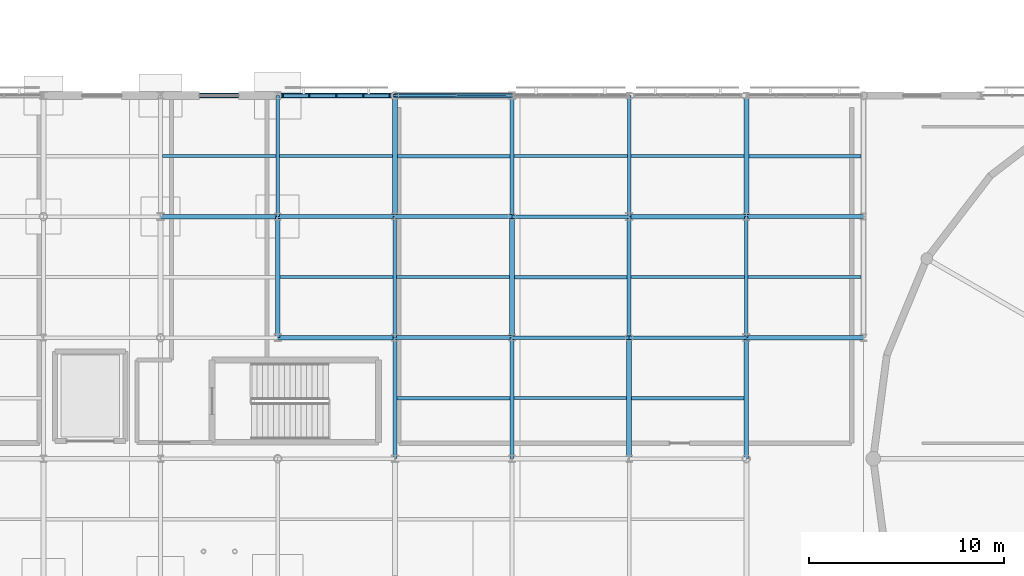
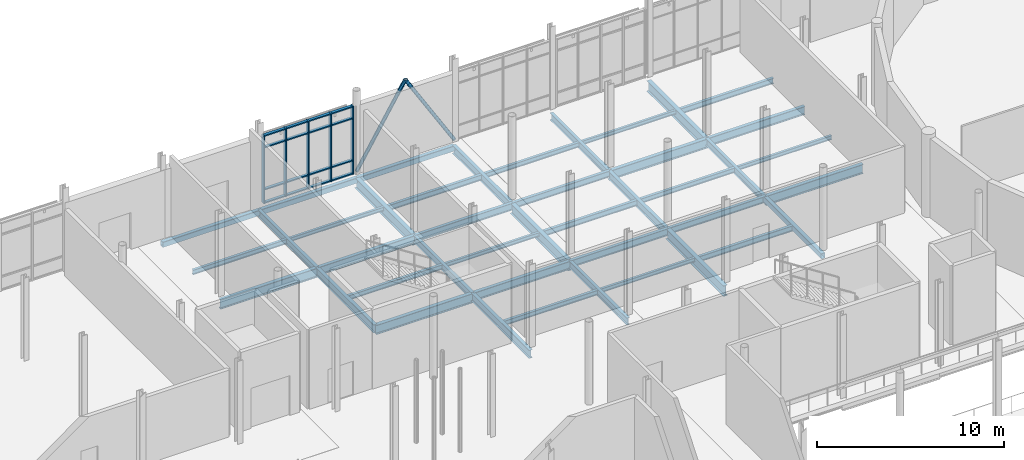
# One storey, part 41 of 98: 42 beams, 23 members, 1 element without a shape of its own.
"""IFC4 building model written with IfcOpenShell, lengths in metres."""

from ifc_helpers import new_model, si_unit, direction, frame, origin, origin_2d, place, context, subcontext, project, spatial, rectangle, hollow_rectangle, hollow_circle, i_section, extrude, material, layer, layer_set, material_profile, profile_set, type_object, element, aggregate, save


model = new_model("IFC4")

# Units and contexts
model_context = context("Model", 3, precision=1e-05, world=origin(), true_north=direction((0.0, 1.0)))
body_context = subcontext(model_context, "Body", "Model", "MODEL_VIEW")
ifc_project = project(units=[si_unit("LENGTHUNIT", "METRE"), si_unit("AREAUNIT", "SQUARE_METRE"), si_unit("VOLUMEUNIT", "CUBIC_METRE"), si_unit("PLANEANGLEUNIT", "RADIAN"), si_unit("MASSUNIT", "GRAM", prefix="KILO")], contexts=[model_context])

# Site, building, storey
site_placement = place(None, origin())
site = spatial("IfcSite", under=ifc_project, at=site_placement, CompositionType="ELEMENT")
building_placement = place(site_placement, origin())
building = spatial("IfcBuilding", under=site, at=building_placement, Name="Mirzam Square Science Centre", CompositionType="ELEMENT")
storey_placement = place(building_placement, origin())
storey = spatial("IfcBuildingStorey", under=building, at=storey_placement, Name="L00", CompositionType="ELEMENT", Elevation=0.0)

# Beams
ifc_material_1 = material(Name="Steel S355", Category="steel")
ifc_material_profile_1 = material_profile(ifc_material_1, i_section(OverallWidth=0.1787109375, OverallDepth=0.409423828125, WebThickness=0.0087890625, FlangeThickness=0.014404296875, FilletRadius=0.01025390625, at=origin_2d()), Name="406x178x67UB")
ifc_profile_set_1 = profile_set([ifc_material_profile_1], Name="Steel S355")
beam_type_1 = type_object("IfcBeamType", Name="BM-UB406", PredefinedType="BEAM", material=ifc_profile_set_1)
for number, where, z_axis, x_axis, name in (
    (1, (48.0, 68.199951171875, -0.504638671875), (1.0, 0.0, 0.0), (0.0, 1.0, 0.0), "L00 girder X9-12"),
    (2, (42.0, 74.39990234375, -0.504638671875), (1.0, 0.0, 0.0), (0.0, 1.0, 0.0), "L00 girder X8-13"),
):
    element("IfcBeam", number, at=place(storey_placement, frame(where, z_axis=z_axis, x_axis=x_axis)), inside=storey, type_object=beam_type_1, Name=name, PredefinedType="BEAM", context=body_context, shape_type="SweptSolid", body=[
        extrude(i_section(OverallWidth=0.1787109375, OverallDepth=0.409423828125, WebThickness=0.0087890625, FlangeThickness=0.014404296875, FilletRadius=0.01025390625, at=origin_2d()), origin(), (0.0, 0.0, 1.0), 6.0),
    ])
ifc_material_profile_2 = material_profile(ifc_material_1, i_section(OverallWidth=0.19140625, OverallDepth=0.4599609375, WebThickness=0.010009765625, FlangeThickness=0.01611328125, FilletRadius=0.01025390625, at=origin_2d()), Name="457x191x82UB")
ifc_profile_set_2 = profile_set([ifc_material_profile_2], Name="Steel S355")
beam_type_2 = type_object("IfcBeamType", Name="BM-UB457", PredefinedType="BEAM", material=ifc_profile_set_2)
for number, where, z_axis, x_axis, name in (
    (3, (42.0, 68.199951171875, -0.530029296875), (1.0, 0.0, 0.0), (0.0, 1.0, 0.0), "L00 girder X8-12"),
    (4, (36.0, 74.39990234375, -0.530029296875), (1.0, 0.0, 0.0), (0.0, 1.0, 0.0), "L00 girder X7-13"),
):
    element("IfcBeam", number, at=place(storey_placement, frame(where, z_axis=z_axis, x_axis=x_axis)), inside=storey, type_object=beam_type_2, Name=name, PredefinedType="BEAM", context=body_context, shape_type="SweptSolid", body=[
        extrude(i_section(OverallWidth=0.19140625, OverallDepth=0.4599609375, WebThickness=0.010009765625, FlangeThickness=0.01611328125, FilletRadius=0.01025390625, at=origin_2d()), origin(), (0.0, 0.0, 1.0), 6.0),
    ])
beam_1_placement = place(storey_placement, frame((30.0, 74.39990234375, -0.530029296875), z_axis=(0.0, 1.0, 0.0), x_axis=(-1.0, 0.0, 0.0)))
element("IfcBeam", 5, at=beam_1_placement, inside=storey, type_object=beam_type_2, Name="L00 girder Y6-13", PredefinedType="BEAM", context=body_context, shape_type="SweptSolid", body=[
    extrude(i_section(OverallWidth=0.19140625, OverallDepth=0.4599609375, WebThickness=0.010009765625, FlangeThickness=0.01611328125, FilletRadius=0.01025390625, at=origin_2d()), origin(), (0.0, 0.0, 1.0), 6.2001953125),
])
for number, where, z_axis, x_axis, name in (
    (6, (36.0, 68.199951171875, -0.530029296875), (0.0, 1.0, 0.0), (-1.0, 0.0, 0.0), "L00 girder Y7-12"),
    (7, (42.0, 62.0, -0.530029296875), (0.0, 1.0, 0.0), (-1.0, 0.0, 0.0), "L00 girder Y8-11"),
):
    element("IfcBeam", number, at=place(storey_placement, frame(where, z_axis=z_axis, x_axis=x_axis)), inside=storey, type_object=beam_type_2, Name=name, PredefinedType="BEAM", context=body_context, shape_type="SweptSolid", body=[
        extrude(i_section(OverallWidth=0.19140625, OverallDepth=0.4599609375, WebThickness=0.010009765625, FlangeThickness=0.01611328125, FilletRadius=0.01025390625, at=origin_2d()), origin(), (0.0, 0.0, 1.0), 6.199951171875),
    ])
beam_2_placement = place(storey_placement, frame((48.0, 74.39990234375, -0.530029296875), z_axis=(0.0, 1.0, 0.0), x_axis=(-1.0, 0.0, 0.0)))
element("IfcBeam", 8, at=beam_2_placement, inside=storey, type_object=beam_type_2, Name="L00 girder Y9-13", PredefinedType="BEAM", context=body_context, shape_type="SweptSolid", body=[
    extrude(i_section(OverallWidth=0.19140625, OverallDepth=0.4599609375, WebThickness=0.010009765625, FlangeThickness=0.01611328125, FilletRadius=0.01025390625, at=origin_2d()), origin(), (0.0, 0.0, 1.0), 6.2001953125),
])
beam_3_placement = place(storey_placement, frame((54.0, 68.199951171875, -0.530029296875), z_axis=(0.0, 1.0, 0.0), x_axis=(-1.0, 0.0, 0.0)))
element("IfcBeam", 9, at=beam_3_placement, inside=storey, type_object=beam_type_2, Name="L00 girder Y10-12", PredefinedType="BEAM", context=body_context, shape_type="SweptSolid", body=[
    extrude(i_section(OverallWidth=0.19140625, OverallDepth=0.4599609375, WebThickness=0.010009765625, FlangeThickness=0.01611328125, FilletRadius=0.01025390625, at=origin_2d()), origin(), (0.0, 0.0, 1.0), 6.199951171875),
])
ifc_material_profile_3 = material_profile(ifc_material_1, i_section(OverallWidth=0.2099609375, OverallDepth=0.53662109375, WebThickness=0.0107421875, FlangeThickness=0.017333984375, FilletRadius=0.0126953125, at=origin_2d()), Name="533x210x101UB")
ifc_profile_set_3 = profile_set([ifc_material_profile_3], Name="Steel S355")
beam_type_3 = type_object("IfcBeamType", Name="BM-UB533", PredefinedType="BEAM", material=ifc_profile_set_3)
for number, where, z_axis, x_axis, name in (
    (10, (36.0, 68.199951171875, -0.568359375), (1.0, 0.0, 0.0), (0.0, 1.0, 0.0), "L00 girder X7-12"),
    (11, (30.0, 74.39990234375, -0.568359375), (1.0, 0.0, 0.0), (0.0, 1.0, 0.0), "L00 girder X6-13"),
    (12, (54.0, 74.39990234375, -0.568359375), (1.0, 0.0, 0.0), (0.0, 1.0, 0.0), "L00 girder X10-13"),
):
    element("IfcBeam", number, at=place(storey_placement, frame(where, z_axis=z_axis, x_axis=x_axis)), inside=storey, type_object=beam_type_3, Name=name, PredefinedType="BEAM", context=body_context, shape_type="SweptSolid", body=[
        extrude(i_section(OverallWidth=0.2099609375, OverallDepth=0.53662109375, WebThickness=0.0107421875, FlangeThickness=0.017333984375, FilletRadius=0.0126953125, at=origin_2d()), origin(), (0.0, 0.0, 1.0), 6.0),
    ])
for number, where, z_axis, x_axis, name in (
    (13, (30.0, 68.199951171875, -0.568359375), (0.0, 1.0, 0.0), (-1.0, 0.0, 0.0), "L00 girder Y6-12"),
    (14, (36.0, 62.0, -0.568359375), (0.0, 1.0, 0.0), (-1.0, 0.0, 0.0), "L00 girder Y7-11"),
):
    element("IfcBeam", number, at=place(storey_placement, frame(where, z_axis=z_axis, x_axis=x_axis)), inside=storey, type_object=beam_type_3, Name=name, PredefinedType="BEAM", context=body_context, shape_type="SweptSolid", body=[
        extrude(i_section(OverallWidth=0.2099609375, OverallDepth=0.53662109375, WebThickness=0.0107421875, FlangeThickness=0.017333984375, FilletRadius=0.0126953125, at=origin_2d()), origin(), (0.0, 0.0, 1.0), 6.199951171875),
    ])
beam_4_placement = place(storey_placement, frame((42.0, 74.39990234375, -0.568359375), z_axis=(0.0, 1.0, 0.0), x_axis=(-1.0, 0.0, 0.0)))
element("IfcBeam", 15, at=beam_4_placement, inside=storey, type_object=beam_type_3, Name="L00 girder Y8-13", PredefinedType="BEAM", context=body_context, shape_type="SweptSolid", body=[
    extrude(i_section(OverallWidth=0.2099609375, OverallDepth=0.53662109375, WebThickness=0.0107421875, FlangeThickness=0.017333984375, FilletRadius=0.0126953125, at=origin_2d()), origin(), (0.0, 0.0, 1.0), 6.2001953125),
])
beam_5_placement = place(storey_placement, frame((48.0, 68.199951171875, -0.568359375), z_axis=(0.0, 1.0, 0.0), x_axis=(-1.0, 0.0, 0.0)))
element("IfcBeam", 16, at=beam_5_placement, inside=storey, type_object=beam_type_3, Name="L00 girder Y9-12", PredefinedType="BEAM", context=body_context, shape_type="SweptSolid", body=[
    extrude(i_section(OverallWidth=0.2099609375, OverallDepth=0.53662109375, WebThickness=0.0107421875, FlangeThickness=0.017333984375, FilletRadius=0.0126953125, at=origin_2d()), origin(), (0.0, 0.0, 1.0), 6.199951171875),
])
ifc_material_profile_4 = material_profile(ifc_material_1, i_section(OverallWidth=0.22900390625, OverallDepth=0.6123046875, WebThickness=0.011962890625, FlangeThickness=0.01953125, FilletRadius=0.0126953125, at=origin_2d()), Name="610x229x125UB")
ifc_profile_set_4 = profile_set([ifc_material_profile_4], Name="Steel S355")
beam_type_4 = type_object("IfcBeamType", Name="BM-UB610", PredefinedType="BEAM", material=ifc_profile_set_4)
for number, where, z_axis, x_axis, name in (
    (17, (30.0, 68.199951171875, -0.606201171875), (1.0, 0.0, 0.0), (0.0, 1.0, 0.0), "L00 girder X6-12"),
    (18, (54.0, 68.199951171875, -0.606201171875), (1.0, 0.0, 0.0), (0.0, 1.0, 0.0), "L00 girder X10-12"),
    (19, (24.0, 74.39990234375, -0.606201171875), (1.0, 0.0, 0.0), (0.0, 1.0, 0.0), "L00 girder X5-13"),
    (20, (48.0, 74.39990234375, -0.606201171875), (1.0, 0.0, 0.0), (0.0, 1.0, 0.0), "L00 girder X9-13"),
):
    element("IfcBeam", number, at=place(storey_placement, frame(where, z_axis=z_axis, x_axis=x_axis)), inside=storey, type_object=beam_type_4, Name=name, PredefinedType="BEAM", context=body_context, shape_type="SweptSolid", body=[
        extrude(i_section(OverallWidth=0.22900390625, OverallDepth=0.6123046875, WebThickness=0.011962890625, FlangeThickness=0.01953125, FilletRadius=0.0126953125, at=origin_2d()), origin(), (0.0, 0.0, 1.0), 6.0),
    ])
ifc_material_profile_5 = material_profile(ifc_material_1, i_section(OverallWidth=0.25439453125, OverallDepth=0.6875, WebThickness=0.01318359375, FlangeThickness=0.02099609375, FilletRadius=0.01513671875, at=origin_2d()), Name="686x254x152UB")
ifc_profile_set_5 = profile_set([ifc_material_profile_5], Name="Steel S355")
beam_type_5 = type_object("IfcBeamType", Name="BM-UB686", PredefinedType="BEAM", material=ifc_profile_set_5)
beam_6_placement = place(storey_placement, frame((36.0, 74.39990234375, -0.643798828125), z_axis=(0.0, 1.0, 0.0), x_axis=(-1.0, 0.0, 0.0)))
element("IfcBeam", 21, at=beam_6_placement, inside=storey, type_object=beam_type_5, Name="L00 girder Y7-13", PredefinedType="BEAM", context=body_context, shape_type="SweptSolid", body=[
    extrude(i_section(OverallWidth=0.25439453125, OverallDepth=0.6875, WebThickness=0.01318359375, FlangeThickness=0.02099609375, FilletRadius=0.01513671875, at=origin_2d()), origin(), (0.0, 0.0, 1.0), 6.2001953125),
])
for number, where, z_axis, x_axis, name in (
    (22, (42.0, 68.199951171875, -0.643798828125), (0.0, 1.0, 0.0), (-1.0, 0.0, 0.0), "L00 girder Y8-12"),
    (23, (48.0, 62.0, -0.643798828125), (0.0, 1.0, 0.0), (-1.0, 0.0, 0.0), "L00 girder Y9-11"),
):
    element("IfcBeam", number, at=place(storey_placement, frame(where, z_axis=z_axis, x_axis=x_axis)), inside=storey, type_object=beam_type_5, Name=name, PredefinedType="BEAM", context=body_context, shape_type="SweptSolid", body=[
        extrude(i_section(OverallWidth=0.25439453125, OverallDepth=0.6875, WebThickness=0.01318359375, FlangeThickness=0.02099609375, FilletRadius=0.01513671875, at=origin_2d()), origin(), (0.0, 0.0, 1.0), 6.199951171875),
    ])
beam_7_placement = place(storey_placement, frame((54.0, 74.39990234375, -0.643798828125), z_axis=(0.0, 1.0, 0.0), x_axis=(-1.0, 0.0, 0.0)))
element("IfcBeam", 24, at=beam_7_placement, inside=storey, type_object=beam_type_5, Name="L00 girder Y10-13", PredefinedType="BEAM", context=body_context, shape_type="SweptSolid", body=[
    extrude(i_section(OverallWidth=0.25439453125, OverallDepth=0.6875, WebThickness=0.01318359375, FlangeThickness=0.02099609375, FilletRadius=0.01513671875, at=origin_2d()), origin(), (0.0, 0.0, 1.0), 6.2001953125),
])

# Members
ifc_material_profile_6 = material_profile(ifc_material_1, hollow_circle(Radius=0.109619140625, WallThickness=0.010009765625, at=origin_2d()), Name="219.1x10.0CHS")
ifc_profile_set_6 = profile_set([ifc_material_profile_6], Name="Steel S355")
member_type_1 = type_object("IfcMemberType", Name="BR-CHS219", PredefinedType="BRACE", material=ifc_profile_set_6)
for number, where, z_axis, x_axis, name in (
    (25, (36.0, 80.60009765625, 0.050048828125), (0.520218218023, 0.0, 0.854033375014), (0.0, 1.0, 0.0), "L00 chevron brace 3A"),
    (26, (42.0, 80.60009765625, 0.050048828125), (-0.520218218023, 0.0, 0.854033375014), (0.0, -1.0, 0.0), "L00 chevron brace 3B"),
):
    element("IfcMember", number, at=place(storey_placement, frame(where, z_axis=z_axis, x_axis=x_axis)), inside=storey, type_object=member_type_1, Name=name, PredefinedType="BRACE", context=body_context, shape_type="SweptSolid", body=[
        extrude(hollow_circle(Radius=0.109619140625, WallThickness=0.010009765625, at=origin_2d()), origin(), (0.0, 0.0, 1.0), 5.766845703125),
    ])

# Curtain wall, members
ifc_material_2 = material(Name="Anodised Aluminium and Low-E Solar Glass", Category="aluminium")
ifc_layer = layer(ifc_material_2, 0.179931640625)
ifc_layer_set = layer_set([ifc_layer], Name="CW-PARK-A")
curtain_wall_type = type_object("IfcCurtainWallType", Name="CW-PARK-A", PredefinedType="USERDEFINED", material=ifc_layer_set)
curtain_wall_placement = place(storey_placement, origin())
curtain_wall = element("IfcCurtainWall", 27, at=curtain_wall_placement, inside=storey, type_object=curtain_wall_type, Name="L00 unitised curtain wall 3", ObjectType="UNITISED CURTAIN WALL", PredefinedType="USERDEFINED")
ifc_material_3 = material(Name="Anodised Architectural Aluminium 6063-T6", Category="aluminium")
ifc_material_profile_7 = material_profile(ifc_material_3, rectangle(XDim=0.074951171875, YDim=0.239990234375, at=origin_2d()), Name="ALU-MULL-240x75x5")
ifc_profile_set_7 = profile_set([ifc_material_profile_7], Name="Anodised Architectural Aluminium 6063-T6")
member_type_2 = type_object("IfcMemberType", Name="CWM-240", PredefinedType="MULLION", material=ifc_profile_set_7)
member_1_placement = place(storey_placement, frame((35.737548828125, 80.60009765625, 0.0), z_axis=(0.0, 0.0, 1.0), x_axis=(-1.0, 0.0, 0.0)))
member_1 = element("IfcMember", 28, at=member_1_placement, type_object=member_type_2, Name="CW-01 mullion 1", PredefinedType="MULLION", context=body_context, shape_type="SweptSolid", body=[
    extrude(rectangle(XDim=0.074951171875, YDim=0.239990234375, at=origin_2d()), origin(), (0.0, 0.0, 1.0), 4.43994140625),
])
member_2_placement = place(storey_placement, frame((34.387451171875, 80.60009765625, 0.0), z_axis=(0.0, 0.0, 1.0), x_axis=(-1.0, 0.0, 0.0)))
member_2 = element("IfcMember", 29, at=member_2_placement, type_object=member_type_2, Name="CW-01 mullion 2", PredefinedType="MULLION", context=body_context, shape_type="SweptSolid", body=[
    extrude(rectangle(XDim=0.074951171875, YDim=0.239990234375, at=origin_2d()), origin(), (0.0, 0.0, 1.0), 4.43994140625),
])
member_3_placement = place(storey_placement, frame((33.0, 80.60009765625, 0.0), z_axis=(0.0, 0.0, 1.0), x_axis=(-1.0, 0.0, 0.0)))
member_3 = element("IfcMember", 30, at=member_3_placement, type_object=member_type_2, Name="CW-01 mullion 3", PredefinedType="MULLION", context=body_context, shape_type="SweptSolid", body=[
    extrude(rectangle(XDim=0.074951171875, YDim=0.239990234375, at=origin_2d()), origin(), (0.0, 0.0, 1.0), 4.43994140625),
])
member_4_placement = place(storey_placement, frame((31.612548828125, 80.60009765625, 0.0), z_axis=(0.0, 0.0, 1.0), x_axis=(-1.0, 0.0, 0.0)))
member_4 = element("IfcMember", 31, at=member_4_placement, type_object=member_type_2, Name="CW-01 mullion 4", PredefinedType="MULLION", context=body_context, shape_type="SweptSolid", body=[
    extrude(rectangle(XDim=0.074951171875, YDim=0.239990234375, at=origin_2d()), origin(), (0.0, 0.0, 1.0), 4.43994140625),
])
member_5_placement = place(storey_placement, frame((30.262451171875, 80.60009765625, 0.0), z_axis=(0.0, 0.0, 1.0), x_axis=(-1.0, 0.0, 0.0)))
member_5 = element("IfcMember", 32, at=member_5_placement, type_object=member_type_2, Name="CW-01 mullion 5", PredefinedType="MULLION", context=body_context, shape_type="SweptSolid", body=[
    extrude(rectangle(XDim=0.074951171875, YDim=0.239990234375, at=origin_2d()), origin(), (0.0, 0.0, 1.0), 4.43994140625),
])
ifc_material_profile_8 = material_profile(ifc_material_3, rectangle(XDim=0.179931640625, YDim=0.074951171875, at=origin_2d()), Name="ALU-TRAN-180x75x5")
ifc_profile_set_8 = profile_set([ifc_material_profile_8], Name="Anodised Architectural Aluminium 6063-T6")
member_type_3 = type_object("IfcMemberType", Name="CWT-180", PredefinedType="USERDEFINED", material=ifc_profile_set_8)
member_6_placement = place(storey_placement, frame((35.699951171875, 80.60009765625, 0.03759765625), z_axis=(-1.0, 0.0, 0.0), x_axis=(0.0, -1.0, 0.0)))
member_6 = element("IfcMember", 33, at=member_6_placement, type_object=member_type_3, Name="CW-01 transom 1.1", ObjectType="TRANSOM", PredefinedType="USERDEFINED", context=body_context, shape_type="SweptSolid", body=[
    extrude(rectangle(XDim=0.179931640625, YDim=0.074951171875, at=origin_2d()), origin(), (0.0, 0.0, 1.0), 1.27490234375),
])
member_7_placement = place(storey_placement, frame((35.699951171875, 80.60009765625, 0.89990234375), z_axis=(-1.0, 0.0, 0.0), x_axis=(0.0, -1.0, 0.0)))
member_7 = element("IfcMember", 34, at=member_7_placement, type_object=member_type_3, Name="CW-01 transom 1.2", ObjectType="TRANSOM", PredefinedType="USERDEFINED", context=body_context, shape_type="SweptSolid", body=[
    extrude(rectangle(XDim=0.179931640625, YDim=0.074951171875, at=origin_2d()), origin(), (0.0, 0.0, 1.0), 1.27490234375),
])
member_8_placement = place(storey_placement, frame((35.699951171875, 80.60009765625, 3.639892578125), z_axis=(-1.0, 0.0, 0.0), x_axis=(0.0, -1.0, 0.0)))
member_8 = element("IfcMember", 35, at=member_8_placement, type_object=member_type_3, Name="CW-01 transom 1.3", ObjectType="TRANSOM", PredefinedType="USERDEFINED", context=body_context, shape_type="SweptSolid", body=[
    extrude(rectangle(XDim=0.179931640625, YDim=0.074951171875, at=origin_2d()), origin(), (0.0, 0.0, 1.0), 1.27490234375),
])
member_9_placement = place(storey_placement, frame((35.699951171875, 80.60009765625, 4.402587890625), z_axis=(-1.0, 0.0, 0.0), x_axis=(0.0, -1.0, 0.0)))
member_9 = element("IfcMember", 36, at=member_9_placement, type_object=member_type_3, Name="CW-01 transom 1.4", ObjectType="TRANSOM", PredefinedType="USERDEFINED", context=body_context, shape_type="SweptSolid", body=[
    extrude(rectangle(XDim=0.179931640625, YDim=0.074951171875, at=origin_2d()), origin(), (0.0, 0.0, 1.0), 1.27490234375),
])
member_10_placement = place(storey_placement, frame((34.35009765625, 80.60009765625, 0.03759765625), z_axis=(-1.0, 0.0, 0.0), x_axis=(0.0, -1.0, 0.0)))
member_10 = element("IfcMember", 37, at=member_10_placement, type_object=member_type_3, Name="CW-01 transom 2.1", ObjectType="TRANSOM", PredefinedType="USERDEFINED", context=body_context, shape_type="SweptSolid", body=[
    extrude(rectangle(XDim=0.179931640625, YDim=0.074951171875, at=origin_2d()), origin(), (0.0, 0.0, 1.0), 1.3125),
])
member_11_placement = place(storey_placement, frame((34.35009765625, 80.60009765625, 0.89990234375), z_axis=(-1.0, 0.0, 0.0), x_axis=(0.0, -1.0, 0.0)))
member_11 = element("IfcMember", 38, at=member_11_placement, type_object=member_type_3, Name="CW-01 transom 2.2", ObjectType="TRANSOM", PredefinedType="USERDEFINED", context=body_context, shape_type="SweptSolid", body=[
    extrude(rectangle(XDim=0.179931640625, YDim=0.074951171875, at=origin_2d()), origin(), (0.0, 0.0, 1.0), 1.3125),
])
member_12_placement = place(storey_placement, frame((34.35009765625, 80.60009765625, 3.639892578125), z_axis=(-1.0, 0.0, 0.0), x_axis=(0.0, -1.0, 0.0)))
member_12 = element("IfcMember", 39, at=member_12_placement, type_object=member_type_3, Name="CW-01 transom 2.3", ObjectType="TRANSOM", PredefinedType="USERDEFINED", context=body_context, shape_type="SweptSolid", body=[
    extrude(rectangle(XDim=0.179931640625, YDim=0.074951171875, at=origin_2d()), origin(), (0.0, 0.0, 1.0), 1.3125),
])
member_13_placement = place(storey_placement, frame((34.35009765625, 80.60009765625, 4.402587890625), z_axis=(-1.0, 0.0, 0.0), x_axis=(0.0, -1.0, 0.0)))
member_13 = element("IfcMember", 40, at=member_13_placement, type_object=member_type_3, Name="CW-01 transom 2.4", ObjectType="TRANSOM", PredefinedType="USERDEFINED", context=body_context, shape_type="SweptSolid", body=[
    extrude(rectangle(XDim=0.179931640625, YDim=0.074951171875, at=origin_2d()), origin(), (0.0, 0.0, 1.0), 1.3125),
])
member_14_placement = place(storey_placement, frame((32.96240234375, 80.60009765625, 0.03759765625), z_axis=(-1.0, 0.0, 0.0), x_axis=(0.0, -1.0, 0.0)))
member_14 = element("IfcMember", 41, at=member_14_placement, type_object=member_type_3, Name="CW-01 transom 3.1", ObjectType="TRANSOM", PredefinedType="USERDEFINED", context=body_context, shape_type="SweptSolid", body=[
    extrude(rectangle(XDim=0.179931640625, YDim=0.074951171875, at=origin_2d()), origin(), (0.0, 0.0, 1.0), 1.3125),
])
member_15_placement = place(storey_placement, frame((32.96240234375, 80.60009765625, 0.89990234375), z_axis=(-1.0, 0.0, 0.0), x_axis=(0.0, -1.0, 0.0)))
member_15 = element("IfcMember", 42, at=member_15_placement, type_object=member_type_3, Name="CW-01 transom 3.2", ObjectType="TRANSOM", PredefinedType="USERDEFINED", context=body_context, shape_type="SweptSolid", body=[
    extrude(rectangle(XDim=0.179931640625, YDim=0.074951171875, at=origin_2d()), origin(), (0.0, 0.0, 1.0), 1.3125),
])
member_16_placement = place(storey_placement, frame((32.96240234375, 80.60009765625, 3.639892578125), z_axis=(-1.0, 0.0, 0.0), x_axis=(0.0, -1.0, 0.0)))
member_16 = element("IfcMember", 43, at=member_16_placement, type_object=member_type_3, Name="CW-01 transom 3.3", ObjectType="TRANSOM", PredefinedType="USERDEFINED", context=body_context, shape_type="SweptSolid", body=[
    extrude(rectangle(XDim=0.179931640625, YDim=0.074951171875, at=origin_2d()), origin(), (0.0, 0.0, 1.0), 1.3125),
])
member_17_placement = place(storey_placement, frame((32.96240234375, 80.60009765625, 4.402587890625), z_axis=(-1.0, 0.0, 0.0), x_axis=(0.0, -1.0, 0.0)))
member_17 = element("IfcMember", 44, at=member_17_placement, type_object=member_type_3, Name="CW-01 transom 3.4", ObjectType="TRANSOM", PredefinedType="USERDEFINED", context=body_context, shape_type="SweptSolid", body=[
    extrude(rectangle(XDim=0.179931640625, YDim=0.074951171875, at=origin_2d()), origin(), (0.0, 0.0, 1.0), 1.3125),
])
member_18_placement = place(storey_placement, frame((31.574951171875, 80.60009765625, 0.03759765625), z_axis=(-1.0, 0.0, 0.0), x_axis=(0.0, -1.0, 0.0)))
member_18 = element("IfcMember", 45, at=member_18_placement, type_object=member_type_3, Name="CW-01 transom 4.1", ObjectType="TRANSOM", PredefinedType="USERDEFINED", context=body_context, shape_type="SweptSolid", body=[
    extrude(rectangle(XDim=0.179931640625, YDim=0.074951171875, at=origin_2d()), origin(), (0.0, 0.0, 1.0), 1.27490234375),
])
member_19_placement = place(storey_placement, frame((31.574951171875, 80.60009765625, 0.89990234375), z_axis=(-1.0, 0.0, 0.0), x_axis=(0.0, -1.0, 0.0)))
member_19 = element("IfcMember", 46, at=member_19_placement, type_object=member_type_3, Name="CW-01 transom 4.2", ObjectType="TRANSOM", PredefinedType="USERDEFINED", context=body_context, shape_type="SweptSolid", body=[
    extrude(rectangle(XDim=0.179931640625, YDim=0.074951171875, at=origin_2d()), origin(), (0.0, 0.0, 1.0), 1.27490234375),
])
member_20_placement = place(storey_placement, frame((31.574951171875, 80.60009765625, 3.639892578125), z_axis=(-1.0, 0.0, 0.0), x_axis=(0.0, -1.0, 0.0)))
member_20 = element("IfcMember", 47, at=member_20_placement, type_object=member_type_3, Name="CW-01 transom 4.3", ObjectType="TRANSOM", PredefinedType="USERDEFINED", context=body_context, shape_type="SweptSolid", body=[
    extrude(rectangle(XDim=0.179931640625, YDim=0.074951171875, at=origin_2d()), origin(), (0.0, 0.0, 1.0), 1.27490234375),
])
member_21_placement = place(storey_placement, frame((31.574951171875, 80.60009765625, 4.402587890625), z_axis=(-1.0, 0.0, 0.0), x_axis=(0.0, -1.0, 0.0)))
member_21 = element("IfcMember", 48, at=member_21_placement, type_object=member_type_3, Name="CW-01 transom 4.4", ObjectType="TRANSOM", PredefinedType="USERDEFINED", context=body_context, shape_type="SweptSolid", body=[
    extrude(rectangle(XDim=0.179931640625, YDim=0.074951171875, at=origin_2d()), origin(), (0.0, 0.0, 1.0), 1.27490234375),
])
aggregate(curtain_wall, [member_1, member_2, member_3, member_4, member_5, member_6, member_7, member_8, member_9, member_10, member_11, member_12, member_13, member_14, member_15, member_16, member_17, member_18, member_19, member_20, member_21])

# Beams
ifc_material_profile_9 = material_profile(ifc_material_1, i_section(OverallWidth=0.146484375, OverallDepth=0.256103515625, WebThickness=0.00634765625, FlangeThickness=0.010986328125, FilletRadius=0.007568359375, at=origin_2d()), Name="254x146x37UB")
ifc_profile_set_9 = profile_set([ifc_material_profile_9], Name="Steel S355")
beam_type_6 = type_object("IfcBeamType", Name="JS-UB254", PredefinedType="JOIST", material=ifc_profile_set_9)
for number, where, z_axis, x_axis, name in (
    (49, (30.095703125, 77.5, -0.427978515625), (1.0, 0.0, 0.0), (0.0, 1.0, 0.0), "L00 composite joist 6-13"),
    (50, (36.095703125, 71.300048828125, -0.427978515625), (1.0, 0.0, 0.0), (0.0, 1.0, 0.0), "L00 composite joist 7-12"),
    (51, (42.095703125, 65.10009765625, -0.427978515625), (1.0, 0.0, 0.0), (0.0, 1.0, 0.0), "L00 composite joist 8-11"),
    (52, (48.095703125, 77.5, -0.427978515625), (1.0, 0.0, 0.0), (0.0, 1.0, 0.0), "L00 composite joist 9-13"),
):
    element("IfcBeam", number, at=place(storey_placement, frame(where, z_axis=z_axis, x_axis=x_axis)), inside=storey, type_object=beam_type_6, Name=name, PredefinedType="JOIST", context=body_context, shape_type="SweptSolid", body=[
        extrude(i_section(OverallWidth=0.146484375, OverallDepth=0.256103515625, WebThickness=0.00634765625, FlangeThickness=0.010986328125, FilletRadius=0.007568359375, at=origin_2d()), origin(), (0.0, 0.0, 1.0), 5.777099609375),
    ])
beam_8_placement = place(storey_placement, frame((54.095703125, 71.300048828125, -0.427978515625), z_axis=(1.0, 0.0, 0.0), x_axis=(0.0, 1.0, 0.0)))
element("IfcBeam", 53, at=beam_8_placement, inside=storey, type_object=beam_type_6, Name="L00 composite joist 10-12", PredefinedType="JOIST", context=body_context, shape_type="SweptSolid", body=[
    extrude(i_section(OverallWidth=0.146484375, OverallDepth=0.256103515625, WebThickness=0.00634765625, FlangeThickness=0.010986328125, FilletRadius=0.007568359375, at=origin_2d()), origin(), (0.0, 0.0, 1.0), 5.779296875),
])
ifc_material_profile_10 = material_profile(ifc_material_1, i_section(OverallWidth=0.165771484375, OverallDepth=0.306640625, WebThickness=0.006591796875, FlangeThickness=0.01171875, FilletRadius=0.0087890625, at=origin_2d()), Name="305x165x46UB")
ifc_profile_set_10 = profile_set([ifc_material_profile_10], Name="Steel S355")
beam_type_7 = type_object("IfcBeamType", Name="JS-UB305", PredefinedType="JOIST", material=ifc_profile_set_10)
for number, where, z_axis, x_axis, name in (
    (54, (24.10498046875, 77.5, -0.453369140625), (1.0, 0.0, 0.0), (0.0, 1.0, 0.0), "L00 composite joist 5-13"),
    (55, (30.10498046875, 71.300048828125, -0.453369140625), (1.0, 0.0, 0.0), (0.0, 1.0, 0.0), "L00 composite joist 6-12"),
    (56, (36.10498046875, 65.10009765625, -0.453369140625), (1.0, 0.0, 0.0), (0.0, 1.0, 0.0), "L00 composite joist 7-11"),
    (57, (42.10498046875, 77.5, -0.453369140625), (1.0, 0.0, 0.0), (0.0, 1.0, 0.0), "L00 composite joist 8-13"),
    (58, (48.10498046875, 71.300048828125, -0.453369140625), (1.0, 0.0, 0.0), (0.0, 1.0, 0.0), "L00 composite joist 9-12"),
):
    element("IfcBeam", number, at=place(storey_placement, frame(where, z_axis=z_axis, x_axis=x_axis)), inside=storey, type_object=beam_type_7, Name=name, PredefinedType="JOIST", context=body_context, shape_type="SweptSolid", body=[
        extrude(i_section(OverallWidth=0.165771484375, OverallDepth=0.306640625, WebThickness=0.006591796875, FlangeThickness=0.01171875, FilletRadius=0.0087890625, at=origin_2d()), origin(), (0.0, 0.0, 1.0), 5.79931640625),
    ])
ifc_material_profile_11 = material_profile(ifc_material_1, i_section(OverallWidth=0.172119140625, OverallDepth=0.35791015625, WebThickness=0.008056640625, FlangeThickness=0.012939453125, FilletRadius=0.01025390625, at=origin_2d()), Name="356x171x57UB")
ifc_profile_set_11 = profile_set([ifc_material_profile_11], Name="Steel S355")
beam_type_8 = type_object("IfcBeamType", Name="JS-UB356", PredefinedType="JOIST", material=ifc_profile_set_11)
for number, where, z_axis, x_axis, name in (
    (59, (36.127197265625, 77.5, -0.47900390625), (1.0, 0.0, 0.0), (0.0, 1.0, 0.0), "L00 composite joist 7-13"),
    (60, (42.127197265625, 71.300048828125, -0.47900390625), (1.0, 0.0, 0.0), (0.0, 1.0, 0.0), "L00 composite joist 8-12"),
):
    element("IfcBeam", number, at=place(storey_placement, frame(where, z_axis=z_axis, x_axis=x_axis)), inside=storey, type_object=beam_type_8, Name=name, PredefinedType="JOIST", context=body_context, shape_type="SweptSolid", body=[
        extrude(i_section(OverallWidth=0.172119140625, OverallDepth=0.35791015625, WebThickness=0.008056640625, FlangeThickness=0.012939453125, FilletRadius=0.01025390625, at=origin_2d()), origin(), (0.0, 0.0, 1.0), 5.767822265625),
    ])
for number, where, z_axis, x_axis, name in (
    (61, (48.127197265625, 65.10009765625, -0.47900390625), (1.0, 0.0, 0.0), (0.0, 1.0, 0.0), "L00 composite joist 9-11"),
    (62, (54.127197265625, 77.5, -0.47900390625), (1.0, 0.0, 0.0), (0.0, 1.0, 0.0), "L00 composite joist 10-13"),
):
    element("IfcBeam", number, at=place(storey_placement, frame(where, z_axis=z_axis, x_axis=x_axis)), inside=storey, type_object=beam_type_8, Name=name, PredefinedType="JOIST", context=body_context, shape_type="SweptSolid", body=[
        extrude(i_section(OverallWidth=0.172119140625, OverallDepth=0.35791015625, WebThickness=0.008056640625, FlangeThickness=0.012939453125, FilletRadius=0.01025390625, at=origin_2d()), origin(), (0.0, 0.0, 1.0), 5.747802734375),
    ])
ifc_material_profile_12 = material_profile(ifc_material_1, hollow_rectangle(XDim=0.25, YDim=0.35009765625, WallThickness=0.012451171875, InnerFilletRadius=0.012451171875, OuterFilletRadius=0.02490234375, at=origin_2d()), Name="350x250x12.5RHS")
ifc_profile_set_12 = profile_set([ifc_material_profile_12], Name="Steel S355")
beam_type_9 = type_object("IfcBeamType", Name="SP-RHS350", PredefinedType="SPANDREL", material=ifc_profile_set_12)
for number, where, z_axis, x_axis, name in (
    (63, (24.0, 80.60009765625, -0.47509765625), (1.0, 0.0, 0.0), (0.0, 1.0, 0.0), "L00 girder X5-14"),
    (64, (30.0, 80.60009765625, -0.47509765625), (1.0, 0.0, 0.0), (0.0, 1.0, 0.0), "L00 girder X6-14"),
    (65, (36.0, 80.60009765625, -0.47509765625), (1.0, 0.0, 0.0), (0.0, 1.0, 0.0), "L00 girder X7-14"),
):
    element("IfcBeam", number, at=place(storey_placement, frame(where, z_axis=z_axis, x_axis=x_axis)), inside=storey, type_object=beam_type_9, Name=name, PredefinedType="SPANDREL", context=body_context, shape_type="SweptSolid", body=[
        extrude(hollow_rectangle(XDim=0.25, YDim=0.35009765625, WallThickness=0.012451171875, InnerFilletRadius=0.012451171875, OuterFilletRadius=0.02490234375, at=origin_2d()), origin(), (0.0, 0.0, 1.0), 6.0),
    ])
beam_9_placement = place(storey_placement, frame((54.0, 62.0, -0.47509765625), z_axis=(0.0, 1.0, 0.0), x_axis=(-1.0, 0.0, 0.0)))
element("IfcBeam", 66, at=beam_9_placement, inside=storey, type_object=beam_type_9, Name="L00 girder Y10-11", PredefinedType="SPANDREL", context=body_context, shape_type="SweptSolid", body=[
    extrude(hollow_rectangle(XDim=0.25, YDim=0.35009765625, WallThickness=0.012451171875, InnerFilletRadius=0.012451171875, OuterFilletRadius=0.02490234375, at=origin_2d()), origin(), (0.0, 0.0, 1.0), 6.199951171875),
])

save(model, "model.ifc")
